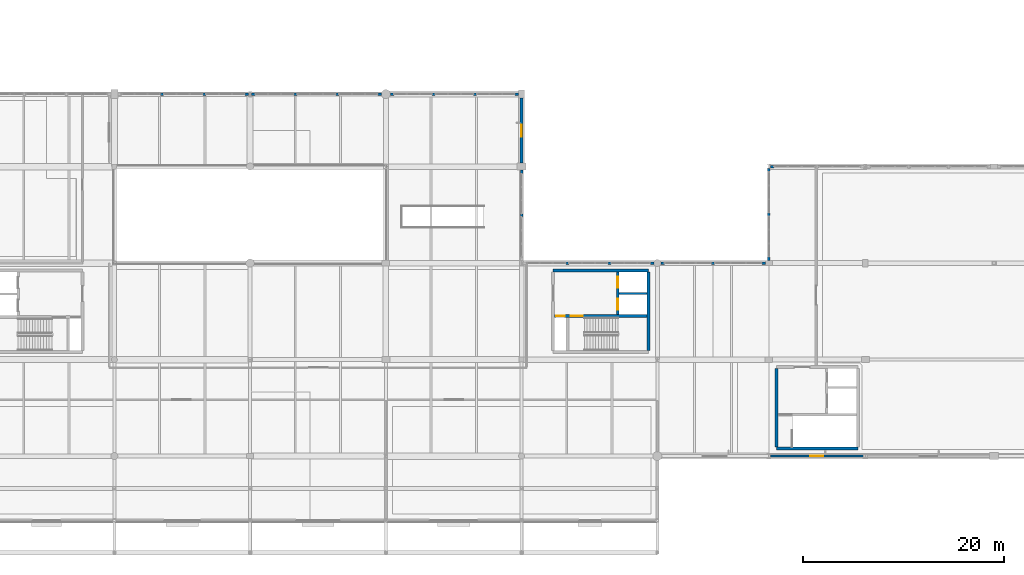
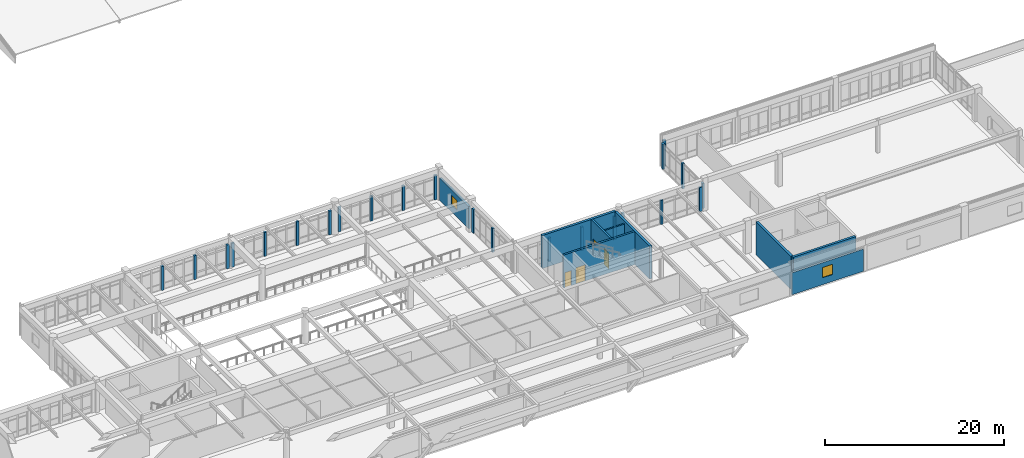
# One storey, part 68 of 80: 32 walls, 4 doors, 2 windows, 6 openings.
"""IFC4 building model written with IfcOpenShell, lengths in metres."""

from ifc_helpers import new_model, si_unit, direction, frame, frame_2d, origin, place, context, subcontext, project, spatial, rectangle, extrude, material, layer, layer_set, type_object, element, fill, save


model = new_model("IFC4")

# Units and contexts
model_context = context("Model", 3, precision=1e-05, world=origin(), true_north=direction((0.0, 1.0)))
body_context = subcontext(model_context, "Body", "Model", "MODEL_VIEW")
ifc_project = project(units=[si_unit("LENGTHUNIT", "METRE"), si_unit("AREAUNIT", "SQUARE_METRE"), si_unit("VOLUMEUNIT", "CUBIC_METRE"), si_unit("PLANEANGLEUNIT", "RADIAN"), si_unit("MASSUNIT", "GRAM", prefix="KILO")], contexts=[model_context])

# Site, building, storey
site_placement = place(None, origin())
site = spatial("IfcSite", under=ifc_project, at=site_placement, CompositionType="ELEMENT")
building_placement = place(site_placement, origin())
building = spatial("IfcBuilding", under=site, at=building_placement, Name="Fikremerkos Civic Library", CompositionType="ELEMENT")
storey_placement = place(building_placement, frame((0.0, 0.0, 9.89990234375)))
storey = spatial("IfcBuildingStorey", under=building, at=storey_placement, Name="L02", CompositionType="ELEMENT", Elevation=9.89990234375)

# Walls
ifc_material_1 = material(Name="Concrete C40/50", Category="concrete")
ifc_layer_1 = layer(ifc_material_1, 0.300048828125, Name="Concrete C40/50")
ifc_layer_set_1 = layer_set([ifc_layer_1], Name="Concrete C40/50")
wall_type_1 = type_object("IfcWallType", Name="Core shear wall CSW-01 300", PredefinedType="SHEAR", material=ifc_layer_set_1)
wall_1_placement = place(storey_placement, frame((103.35009765625, 30.449951171875, 0.0), z_axis=(0.0, 0.0, 1.0), x_axis=(1.0, 0.0, 0.0)))
element("IfcWall", 1, at=wall_1_placement, inside=storey, type_object=wall_type_1, Name="Core K2 north shear wall L02", PredefinedType="SHEAR", context=body_context, shape_type="SweptSolid", body=[
    extrude(rectangle(XDim=9.5, YDim=0.300048828125, at=frame_2d((4.75, 0.0))), origin(), (0.0, 0.0, 1.0), 4.5),
])
wall_2_placement = place(storey_placement, frame((112.85009765625, 30.298095703125, 0.0), z_axis=(0.0, 0.0, 1.0), x_axis=(0.0, -1.0, 0.0)))
element("IfcWall", 2, at=wall_2_placement, inside=storey, type_object=wall_type_1, Name="Core K2 east shear wall L02", PredefinedType="SHEAR", context=body_context, shape_type="SweptSolid", body=[
    extrude(rectangle(XDim=7.796142578125, YDim=0.300048828125, at=frame_2d((3.89794921875, 0.0))), origin(), (0.0, 0.0, 1.0), 4.5),
])
wall_3_placement = place(storey_placement, frame((133.64990234375, 12.75, 0.0), z_axis=(0.0, 0.0, 1.0), x_axis=(-1.0, 0.0, 0.0)))
element("IfcWall", 3, at=wall_3_placement, inside=storey, type_object=wall_type_1, Name="Core K4 south shear wall L02", PredefinedType="SHEAR", context=body_context, shape_type="SweptSolid", body=[
    extrude(rectangle(XDim=8.099853515625, YDim=0.300048828125, at=frame_2d((4.0498046875, 0.0))), origin(), (0.0, 0.0, 1.0), 4.5),
])
wall_4_placement = place(storey_placement, frame((125.550048828125, 12.902099609375, 0.0), z_axis=(0.0, 0.0, 1.0), x_axis=(0.0, 1.0, 0.0)))
element("IfcWall", 4, at=wall_4_placement, inside=storey, type_object=wall_type_1, Name="Core K4 west shear wall L02", PredefinedType="SHEAR", context=body_context, shape_type="SweptSolid", body=[
    extrude(rectangle(XDim=7.7958984375, YDim=0.300048828125, at=frame_2d((3.89794921875, 0.0))), origin(), (0.0, 0.0, 1.0), 4.5),
])

# Wall, openings, doors
ifc_layer_2 = layer(ifc_material_1, 0.260009765625, Name="Concrete C40/50")
ifc_layer_set_2 = layer_set([ifc_layer_2], Name="Concrete C40/50")
wall_type_2 = type_object("IfcWallType", Name="Core shear wall CSW-02 260", PredefinedType="SHEAR", material=ifc_layer_set_2)
wall_5_placement = place(storey_placement, frame((103.501953125, 25.929931640625, 0.0), z_axis=(0.0, 0.0, 1.0), x_axis=(1.0, 0.0, 0.0)))
wall_5 = element("IfcWall", 5, at=wall_5_placement, inside=storey, type_object=wall_type_2, Name="Core K2 stair compartment wall L02", PredefinedType="SHEAR", context=body_context, shape_type="SweptSolid", body=[
    extrude(rectangle(XDim=9.196044921875, YDim=0.260009765625, at=frame_2d((4.59814453125, 0.0))), origin(), (0.0, 0.0, 1.0), 4.5),
])
opening_1_placement = place(wall_5_placement, frame((1.597900390625, 0.0, 0.0)))
opening_1 = element("IfcOpeningElement", 6, at=opening_1_placement, cuts=wall_5, Name="Opening D066", PredefinedType="OPENING", context=body_context, shape_type="SweptSolid", body=[
    extrude(rectangle(XDim=1.199951171875, YDim=2.199951171875, at=frame_2d((0.60009765625, 1.10009765625))), frame((0.0, 0.139892578125, 0.0), z_axis=(0.0, -1.0, 0.0), x_axis=(1.0, 0.0, 0.0)), (0.0, 0.0, 1.0), 0.280029296875),
])
opening_2_placement = place(wall_5_placement, frame((0.14306640625, 0.0, 0.0)))
opening_2 = element("IfcOpeningElement", 7, at=opening_2_placement, cuts=wall_5, Name="Opening D067", PredefinedType="OPENING", context=body_context, shape_type="SweptSolid", body=[
    extrude(rectangle(XDim=0.85009765625, YDim=2.050048828125, at=frame_2d((0.425048828125, 1.02490234375))), frame((0.0, 0.139892578125, 0.0), z_axis=(0.0, -1.0, 0.0), x_axis=(1.0, 0.0, 0.0)), (0.0, 0.0, 1.0), 0.280029296875),
])
ifc_material_2 = material(Name="Hardwood timber and acoustic glass", Category="wood")
door_type_1 = type_object("IfcDoorType", Name="Pedestrian door DT-06 1200x2200", OperationType="NOTDEFINED", PredefinedType="DOOR", material=ifc_material_2)
door_1_placement = place(opening_1_placement, origin())
door_1 = element("IfcDoor", 8, at=door_1_placement, inside=storey, type_object=door_type_1, Name="Core K2 stair fire door D066 L02", OperationType="SINGLE_SWING_RIGHT", OverallHeight=2.199951171875, OverallWidth=1.199951171875, PredefinedType="DOOR", context=body_context, shape_type="SweptSolid", body=[
    extrude(rectangle(XDim=1.199951171875, YDim=2.199951171875, at=frame_2d((0.60009765625, 1.10009765625))), frame((0.0, 0.032470703125, 0.0), z_axis=(0.0, -1.0, 0.0), x_axis=(1.0, 0.0, 0.0)), (0.0, 0.0, 1.0), 0.06494140625),
])
fill(opening_1, door_1)
door_type_2 = type_object("IfcDoorType", Name="Pedestrian door DT-08 850x2050", OperationType="NOTDEFINED", PredefinedType="DOOR", material=ifc_material_2)
door_2_placement = place(opening_2_placement, origin())
door_2 = element("IfcDoor", 9, at=door_2_placement, inside=storey, type_object=door_type_2, Name="Core K2 riser access fire door D067 L02", OperationType="SINGLE_SWING_LEFT", OverallHeight=2.050048828125, OverallWidth=0.85009765625, PredefinedType="DOOR", context=body_context, shape_type="SweptSolid", body=[
    extrude(rectangle(XDim=0.85009765625, YDim=2.050048828125, at=frame_2d((0.425048828125, 1.02490234375))), frame((0.0, 0.032470703125, 0.0), z_axis=(0.0, -1.0, 0.0), x_axis=(1.0, 0.0, 0.0)), (0.0, 0.0, 1.0), 0.06494140625),
])
fill(opening_2, door_2)

wall_6_placement = place(storey_placement, frame((109.77001953125, 26.06201171875, 0.0), z_axis=(0.0, 0.0, 1.0), x_axis=(0.0, 1.0, 0.0)))
wall_6 = element("IfcWall", 10, at=wall_6_placement, inside=storey, type_object=wall_type_2, Name="Core K2 lift shaft front wall L02", PredefinedType="SHEAR", context=body_context, shape_type="SweptSolid", body=[
    extrude(rectangle(XDim=4.236083984375, YDim=0.260009765625, at=frame_2d((2.1181640625, 0.0))), origin(), (0.0, 0.0, 1.0), 4.5),
])
opening_3_placement = place(wall_6_placement, frame((0.468017578125, 0.0, 0.0)))
opening_3 = element("IfcOpeningElement", 11, at=opening_3_placement, cuts=wall_6, Name="Opening LD25", PredefinedType="OPENING", context=body_context, shape_type="SweptSolid", body=[
    extrude(rectangle(XDim=1.10009765625, YDim=2.14990234375, at=frame_2d((0.550048828125, 1.074951171875))), frame((0.0, 0.139892578125, 0.0), z_axis=(0.0, -1.0, 0.0), x_axis=(1.0, 0.0, 0.0)), (0.0, 0.0, 1.0), 0.280029296875),
])
opening_4_placement = place(wall_6_placement, frame((2.66796875, 0.0, 0.0)))
opening_4 = element("IfcOpeningElement", 12, at=opening_4_placement, cuts=wall_6, Name="Opening LD26", PredefinedType="OPENING", context=body_context, shape_type="SweptSolid", body=[
    extrude(rectangle(XDim=1.10009765625, YDim=2.14990234375, at=frame_2d((0.550048828125, 1.074951171875))), frame((0.0, 0.139892578125, 0.0), z_axis=(0.0, -1.0, 0.0), x_axis=(1.0, 0.0, 0.0)), (0.0, 0.0, 1.0), 0.280029296875),
])
ifc_material_3 = material(Name="Brushed stainless steel", Category="steel")
door_type_3 = type_object("IfcDoorType", Name="Lift landing door LDT-01 1100x2150", OperationType="NOTDEFINED", PredefinedType="DOOR", material=ifc_material_3)
door_3_placement = place(opening_3_placement, origin())
door_3 = element("IfcDoor", 13, at=door_3_placement, inside=storey, type_object=door_type_3, Name="Lift LF03 sliding landing door LD25 L02", OperationType="SLIDING_TO_LEFT", OverallHeight=2.14990234375, OverallWidth=1.10009765625, PredefinedType="DOOR", context=body_context, shape_type="SweptSolid", body=[
    extrude(rectangle(XDim=1.10009765625, YDim=2.14990234375, at=frame_2d((0.550048828125, 1.074951171875))), frame((0.0, 0.032470703125, 0.0), z_axis=(0.0, -1.0, 0.0), x_axis=(1.0, 0.0, 0.0)), (0.0, 0.0, 1.0), 0.06494140625),
])
fill(opening_3, door_3)
door_4_placement = place(opening_4_placement, origin())
door_4 = element("IfcDoor", 14, at=door_4_placement, inside=storey, type_object=door_type_3, Name="Lift LF04 sliding landing door LD26 L02", OperationType="SLIDING_TO_LEFT", OverallHeight=2.14990234375, OverallWidth=1.10009765625, PredefinedType="DOOR", context=body_context, shape_type="SweptSolid", body=[
    extrude(rectangle(XDim=1.10009765625, YDim=2.14990234375, at=frame_2d((0.550048828125, 1.074951171875))), frame((0.0, 0.032470703125, 0.0), z_axis=(0.0, -1.0, 0.0), x_axis=(1.0, 0.0, 0.0)), (0.0, 0.0, 1.0), 0.06494140625),
])
fill(opening_4, door_4)

# Wall, opening, window
ifc_material_4 = material(Name="Precast concrete C40/50", Category="concrete")
ifc_layer_3 = layer(ifc_material_4, 0.280029296875, Name="Precast concrete C40/50")
ifc_layer_set_3 = layer_set([ifc_layer_3], Name="Precast concrete C40/50")
wall_type_3 = type_object("IfcWallType", Name="Exterior solid wall ESW-04 280", PredefinedType="SOLIDWALL", material=ifc_layer_set_3)
wall_7_placement = place(storey_placement, frame((100.199951171875, 47.60205078125, 0.0), z_axis=(0.0, 0.0, 1.0), x_axis=(0.0, -1.0, 0.0)))
wall_7 = element("IfcWall", 15, at=wall_7_placement, inside=storey, type_object=wall_type_3, Name="Exterior solid wall ESW-04 L02 #508", PredefinedType="SOLIDWALL", context=body_context, shape_type="SweptSolid", body=[
    extrude(rectangle(XDim=6.4541015625, YDim=0.280029296875, at=frame_2d((3.22705078125, 0.0))), origin(), (0.0, 0.0, 1.0), 3.02001953125),
])
opening_5_placement = place(wall_7_placement, frame((2.626953125, 0.0, 0.949951171875)))
opening_5 = element("IfcOpeningElement", 16, at=opening_5_placement, cuts=wall_7, Name="Opening CWND-11", PredefinedType="OPENING", context=body_context, shape_type="SweptSolid", body=[
    extrude(rectangle(XDim=1.199951171875, YDim=1.35009765625, at=frame_2d((0.60009765625, 0.675048828125))), frame((0.0, 0.14990234375, 0.0), z_axis=(0.0, -1.0, 0.0), x_axis=(1.0, 0.0, 0.0)), (0.0, 0.0, 1.0), 0.300048828125),
])
ifc_material_5 = material(Name="Solar control double glazing", Category="glass")
window_type_1 = type_object("IfcWindowType", Name="Courtyard window CWND-11 1200x1350", PartitioningType="SINGLE_PANEL", PredefinedType="WINDOW", material=ifc_material_5)
window_1_placement = place(opening_5_placement, origin())
window_1 = element("IfcWindow", 17, at=window_1_placement, inside=storey, type_object=window_type_1, Name="Courtyard window CWND-11 L02 #27", OverallHeight=1.35009765625, OverallWidth=1.199951171875, PartitioningType="SINGLE_PANEL", PredefinedType="WINDOW", context=body_context, shape_type="SweptSolid", body=[
    extrude(rectangle(XDim=1.199951171875, YDim=1.35009765625, at=frame_2d((0.60009765625, 0.675048828125))), frame((0.0, 0.032470703125, 0.0), z_axis=(0.0, -1.0, 0.0), x_axis=(1.0, 0.0, 0.0)), (0.0, 0.0, 1.0), 0.06494140625),
])
fill(opening_5, window_1)

# Walls
ifc_layer_4 = layer(ifc_material_4, 0.25, Name="Precast concrete C40/50")
ifc_layer_set_4 = layer_set([ifc_layer_4], Name="Precast concrete C40/50")
wall_type_4 = type_object("IfcWallType", Name="Exterior solid wall ESW-05 250", PredefinedType="SOLIDWALL", material=ifc_layer_set_4)
wall_8_placement = place(storey_placement, frame((72.701904296875, 48.0, 0.0), z_axis=(0.0, 0.0, 1.0), x_axis=(1.0, 0.0, 0.0)))
element("IfcWall", 18, at=wall_8_placement, inside=storey, type_object=wall_type_4, Name="Exterior facade pier ESW-05 #497", PredefinedType="SOLIDWALL", context=body_context, shape_type="SweptSolid", body=[
    extrude(rectangle(XDim=0.35009765625, YDim=0.25, at=frame_2d((0.175048828125, 0.0))), origin(), (0.0, 0.0, 1.0), 3.260009765625),
])
for number, where, z_axis, x_axis, name in (
    (19, (64.29931640625, 48.0, 0.0), (0.0, 0.0, 1.0), (1.0, 0.0, 0.0), "Exterior facade mullion pier ESW-05 #498"),
    (20, (68.500732421875, 48.0, 0.0), (0.0, 0.0, 1.0), (1.0, 0.0, 0.0), "Exterior facade mullion pier ESW-05 #499"),
):
    element("IfcWall", number, at=place(storey_placement, frame(where, z_axis=z_axis, x_axis=x_axis)), inside=storey, type_object=wall_type_4, Name=name, PredefinedType="SOLIDWALL", context=body_context, shape_type="SweptSolid", body=[
        extrude(rectangle(XDim=0.300048828125, YDim=0.25, at=frame_2d((0.14990234375, 0.0))), origin(), (0.0, 0.0, 1.0), 3.260009765625),
    ])
wall_9_placement = place(storey_placement, frame((73.347900390625, 48.0, 0.0), z_axis=(0.0, 0.0, 1.0), x_axis=(1.0, 0.0, 0.0)))
element("IfcWall", 21, at=wall_9_placement, inside=storey, type_object=wall_type_4, Name="Exterior facade pier ESW-05 #500", PredefinedType="SOLIDWALL", context=body_context, shape_type="SweptSolid", body=[
    extrude(rectangle(XDim=0.35009765625, YDim=0.25, at=frame_2d((0.175048828125, 0.0))), origin(), (0.0, 0.0, 1.0), 3.260009765625),
])
wall_10_placement = place(storey_placement, frame((85.902099609375, 48.0, 0.0), z_axis=(0.0, 0.0, 1.0), x_axis=(1.0, 0.0, 0.0)))
element("IfcWall", 22, at=wall_10_placement, inside=storey, type_object=wall_type_4, Name="Exterior facade pier ESW-05 #501", PredefinedType="SOLIDWALL", context=body_context, shape_type="SweptSolid", body=[
    extrude(rectangle(XDim=0.349853515625, YDim=0.25, at=frame_2d((0.1748046875, 0.0))), origin(), (0.0, 0.0, 1.0), 3.260009765625),
])
for number, where, z_axis, x_axis, name in (
    (23, (77.56591796875, 48.0, 0.0), (0.0, 0.0, 1.0), (1.0, 0.0, 0.0), "Exterior facade mullion pier ESW-05 #502"),
    (24, (81.73388671875, 48.0, 0.0), (0.0, 0.0, 1.0), (1.0, 0.0, 0.0), "Exterior facade mullion pier ESW-05 #503"),
):
    element("IfcWall", number, at=place(storey_placement, frame(where, z_axis=z_axis, x_axis=x_axis)), inside=storey, type_object=wall_type_4, Name=name, PredefinedType="SOLIDWALL", context=body_context, shape_type="SweptSolid", body=[
        extrude(rectangle(XDim=0.300048828125, YDim=0.25, at=frame_2d((0.14990234375, 0.0))), origin(), (0.0, 0.0, 1.0), 3.260009765625),
    ])
for number, where, z_axis, x_axis, name in (
    (25, (87.14794921875, 48.0, 0.0), (0.0, 0.0, 1.0), (1.0, 0.0, 0.0), "Exterior facade pier ESW-05 #504"),
    (26, (99.552001953125, 48.0, 0.0), (0.0, 0.0, 1.0), (1.0, 0.0, 0.0), "Exterior facade pier ESW-05 #505"),
):
    element("IfcWall", number, at=place(storey_placement, frame(where, z_axis=z_axis, x_axis=x_axis)), inside=storey, type_object=wall_type_4, Name=name, PredefinedType="SOLIDWALL", context=body_context, shape_type="SweptSolid", body=[
        extrude(rectangle(XDim=0.35009765625, YDim=0.25, at=frame_2d((0.175048828125, 0.0))), origin(), (0.0, 0.0, 1.0), 3.360107421875),
    ])
wall_11_placement = place(storey_placement, frame((91.31591796875, 48.0, 0.0), z_axis=(0.0, 0.0, 1.0), x_axis=(1.0, 0.0, 0.0)))
element("IfcWall", 27, at=wall_11_placement, inside=storey, type_object=wall_type_4, Name="Exterior facade mullion pier ESW-05 #506", PredefinedType="SOLIDWALL", context=body_context, shape_type="SweptSolid", body=[
    extrude(rectangle(XDim=0.300048828125, YDim=0.25, at=frame_2d((0.14990234375, 0.0))), origin(), (0.0, 0.0, 1.0), 3.360107421875),
])
wall_12_placement = place(storey_placement, frame((95.43408203125, 48.0, 0.0), z_axis=(0.0, 0.0, 1.0), x_axis=(1.0, 0.0, 0.0)))
element("IfcWall", 28, at=wall_12_placement, inside=storey, type_object=wall_type_4, Name="Exterior facade mullion pier ESW-05 #507", PredefinedType="SOLIDWALL", context=body_context, shape_type="SweptSolid", body=[
    extrude(rectangle(XDim=0.2998046875, YDim=0.25, at=frame_2d((0.14990234375, 0.0))), origin(), (0.0, 0.0, 1.0), 3.360107421875),
])
wall_13_placement = place(storey_placement, frame((100.199951171875, 40.451904296875, 0.0), z_axis=(0.0, 0.0, 1.0), x_axis=(0.0, -1.0, 0.0)))
element("IfcWall", 29, at=wall_13_placement, inside=storey, type_object=wall_type_4, Name="Exterior facade pier ESW-05 #509", PredefinedType="SOLIDWALL", context=body_context, shape_type="SweptSolid", body=[
    extrude(rectangle(XDim=0.349853515625, YDim=0.25, at=frame_2d((0.1748046875, 0.0))), origin(), (0.0, 0.0, 1.0), 3.25),
])
wall_14_placement = place(storey_placement, frame((100.199951171875, 36.10009765625, 0.0), z_axis=(0.0, 0.0, 1.0), x_axis=(0.0, -1.0, 0.0)))
element("IfcWall", 30, at=wall_14_placement, inside=storey, type_object=wall_type_4, Name="Exterior facade mullion pier ESW-05 #511", PredefinedType="SOLIDWALL", context=body_context, shape_type="SweptSolid", body=[
    extrude(rectangle(XDim=0.300048828125, YDim=0.25, at=frame_2d((0.14990234375, 0.0))), origin(), (0.0, 0.0, 1.0), 3.25),
])
wall_15_placement = place(storey_placement, frame((113.001953125, 31.199951171875, 0.0), z_axis=(0.0, 0.0, 1.0), x_axis=(1.0, 0.0, 0.0)))
element("IfcWall", 31, at=wall_15_placement, inside=storey, type_object=wall_type_4, Name="Exterior facade pier ESW-05 #513", PredefinedType="SOLIDWALL", context=body_context, shape_type="SweptSolid", body=[
    extrude(rectangle(XDim=0.35009765625, YDim=0.25, at=frame_2d((0.175048828125, 0.0))), origin(), (0.0, 0.0, 1.0), 3.25),
])
wall_16_placement = place(storey_placement, frame((104.599365234375, 31.199951171875, 0.0), z_axis=(0.0, 0.0, 1.0), x_axis=(1.0, 0.0, 0.0)))
element("IfcWall", 32, at=wall_16_placement, inside=storey, type_object=wall_type_4, Name="Exterior facade mullion pier ESW-05 #514", PredefinedType="SOLIDWALL", context=body_context, shape_type="SweptSolid", body=[
    extrude(rectangle(XDim=0.300048828125, YDim=0.25, at=frame_2d((0.14990234375, 0.0))), origin(), (0.0, 0.0, 1.0), 3.25),
])
wall_17_placement = place(storey_placement, frame((108.80078125, 31.199951171875, 0.0), z_axis=(0.0, 0.0, 1.0), x_axis=(1.0, 0.0, 0.0)))
element("IfcWall", 33, at=wall_17_placement, inside=storey, type_object=wall_type_4, Name="Exterior facade mullion pier ESW-05 #515", PredefinedType="SOLIDWALL", context=body_context, shape_type="SweptSolid", body=[
    extrude(rectangle(XDim=0.2998046875, YDim=0.25, at=frame_2d((0.14990234375, 0.0))), origin(), (0.0, 0.0, 1.0), 3.25),
])
for number, where, z_axis, x_axis, name in (
    (34, (114.048095703125, 31.199951171875, 0.0), (0.0, 0.0, 1.0), (1.0, 0.0, 0.0), "Exterior facade pier ESW-05 #516"),
    (35, (124.10205078125, 31.199951171875, 0.0), (0.0, 0.0, 1.0), (1.0, 0.0, 0.0), "Exterior facade pier ESW-05 #517"),
):
    element("IfcWall", number, at=place(storey_placement, frame(where, z_axis=z_axis, x_axis=x_axis)), inside=storey, type_object=wall_type_4, Name=name, PredefinedType="SOLIDWALL", context=body_context, shape_type="SweptSolid", body=[
        extrude(rectangle(XDim=0.349853515625, YDim=0.25, at=frame_2d((0.1748046875, 0.0))), origin(), (0.0, 0.0, 1.0), 3.300048828125),
    ])
wall_18_placement = place(storey_placement, frame((119.10009765625, 31.199951171875, 0.0), z_axis=(0.0, 0.0, 1.0), x_axis=(1.0, 0.0, 0.0)))
element("IfcWall", 36, at=wall_18_placement, inside=storey, type_object=wall_type_4, Name="Exterior facade mullion pier ESW-05 #518", PredefinedType="SOLIDWALL", context=body_context, shape_type="SweptSolid", body=[
    extrude(rectangle(XDim=0.2998046875, YDim=0.25, at=frame_2d((0.14990234375, 0.0))), origin(), (0.0, 0.0, 1.0), 3.300048828125),
])
for number, where, z_axis, x_axis, name in (
    (37, (124.800048828125, 31.447998046875, 0.0), (0.0, 0.0, 1.0), (0.0, 1.0, 0.0), "Exterior facade pier ESW-05 #519"),
    (38, (124.800048828125, 40.27197265625, 0.0), (0.0, 0.0, 1.0), (0.0, 1.0, 0.0), "Exterior facade pier ESW-05 #520"),
):
    element("IfcWall", number, at=place(storey_placement, frame(where, z_axis=z_axis, x_axis=x_axis)), inside=storey, type_object=wall_type_4, Name=name, PredefinedType="SOLIDWALL", context=body_context, shape_type="SweptSolid", body=[
        extrude(rectangle(XDim=0.35009765625, YDim=0.25, at=frame_2d((0.175048828125, 0.0))), origin(), (0.0, 0.0, 1.0), 3.4501953125),
    ])
wall_19_placement = place(storey_placement, frame((124.800048828125, 35.885009765625, 0.0), z_axis=(0.0, 0.0, 1.0), x_axis=(0.0, 1.0, 0.0)))
element("IfcWall", 39, at=wall_19_placement, inside=storey, type_object=wall_type_4, Name="Exterior facade mullion pier ESW-05 #521", PredefinedType="SOLIDWALL", context=body_context, shape_type="SweptSolid", body=[
    extrude(rectangle(XDim=0.300048828125, YDim=0.25, at=frame_2d((0.14990234375, 0.0))), origin(), (0.0, 0.0, 1.0), 3.4501953125),
])
wall_20_placement = place(storey_placement, frame((124.947998046875, 40.800048828125, 0.0), z_axis=(0.0, 0.0, 1.0), x_axis=(1.0, 0.0, 0.0)))
element("IfcWall", 40, at=wall_20_placement, inside=storey, type_object=wall_type_4, Name="Exterior facade pier ESW-05 #522", PredefinedType="SOLIDWALL", context=body_context, shape_type="SweptSolid", body=[
    extrude(rectangle(XDim=0.35009765625, YDim=0.25, at=frame_2d((0.175048828125, 0.0))), origin(), (0.0, 0.0, 1.0), 3.6201171875),
])

# Wall, opening, window
ifc_layer_5 = layer(ifc_material_4, 0.219970703125, Name="Precast concrete C40/50")
ifc_layer_set_5 = layer_set([ifc_layer_5], Name="Precast concrete C40/50")
wall_type_5 = type_object("IfcWallType", Name="Exterior solid wall ESW-06 220", PredefinedType="SOLIDWALL", material=ifc_layer_set_5)
wall_21_placement = place(storey_placement, frame((134.201904296875, 12.0, 0.0), z_axis=(0.0, 0.0, 1.0), x_axis=(-1.0, 0.0, 0.0)))
wall_21 = element("IfcWall", 41, at=wall_21_placement, inside=storey, type_object=wall_type_5, Name="Exterior solid wall ESW-06 L02 #540", PredefinedType="SOLIDWALL", context=body_context, shape_type="SweptSolid", body=[
    extrude(rectangle(XDim=9.25390625, YDim=0.219970703125, at=frame_2d((4.626953125, 0.0))), origin(), (0.0, 0.0, 1.0), 3.010009765625),
])
opening_6_placement = place(wall_21_placement, frame((3.97705078125, 0.0, 0.949951171875)))
opening_6 = element("IfcOpeningElement", 42, at=opening_6_placement, cuts=wall_21, Name="Opening CWND-16", PredefinedType="OPENING", context=body_context, shape_type="SweptSolid", body=[
    extrude(rectangle(XDim=1.300048828125, YDim=1.39990234375, at=frame_2d((0.64990234375, 0.699951171875))), frame((0.0, 0.119873046875, 0.0), z_axis=(0.0, -1.0, 0.0), x_axis=(1.0, 0.0, 0.0)), (0.0, 0.0, 1.0), 0.239990234375),
])
window_type_2 = type_object("IfcWindowType", Name="Courtyard window CWND-16 1300x1400", PartitioningType="SINGLE_PANEL", PredefinedType="WINDOW", material=ifc_material_5)
window_2_placement = place(opening_6_placement, origin())
window_2 = element("IfcWindow", 43, at=window_2_placement, inside=storey, type_object=window_type_2, Name="Courtyard window CWND-16 L02 #32", OverallHeight=1.39990234375, OverallWidth=1.300048828125, PartitioningType="SINGLE_PANEL", PredefinedType="WINDOW", context=body_context, shape_type="SweptSolid", body=[
    extrude(rectangle(XDim=1.300048828125, YDim=1.39990234375, at=frame_2d((0.64990234375, 0.699951171875))), frame((0.0, 0.032470703125, 0.0), z_axis=(0.0, -1.0, 0.0), x_axis=(1.0, 0.0, 0.0)), (0.0, 0.0, 1.0), 0.06494140625),
])
fill(opening_6, window_2)

# Wall
ifc_material_6 = material(Name="Concrete C35/45", Category="concrete")
ifc_layer_6 = layer(ifc_material_6, 0.199951171875, Name="Concrete C35/45")
ifc_layer_set_6 = layer_set([ifc_layer_6], Name="Concrete C35/45")
wall_type_6 = type_object("IfcWallType", Name="Service duct wall SDW-01 200", PredefinedType="PLUMBINGWALL", material=ifc_layer_set_6)
wall_22_placement = place(storey_placement, frame((109.902099609375, 28.179931640625, 0.0), z_axis=(0.0, 0.0, 1.0), x_axis=(1.0, 0.0, 0.0)))
element("IfcWall", 44, at=wall_22_placement, inside=storey, type_object=wall_type_6, Name="Core K2 inter-lift shaft wall L02", PredefinedType="PLUMBINGWALL", context=body_context, shape_type="SweptSolid", body=[
    extrude(rectangle(XDim=2.7958984375, YDim=0.199951171875, at=frame_2d((1.39794921875, 0.0))), origin(), (0.0, 0.0, 1.0), 4.16015625),
])

save(model, "model.ifc")
